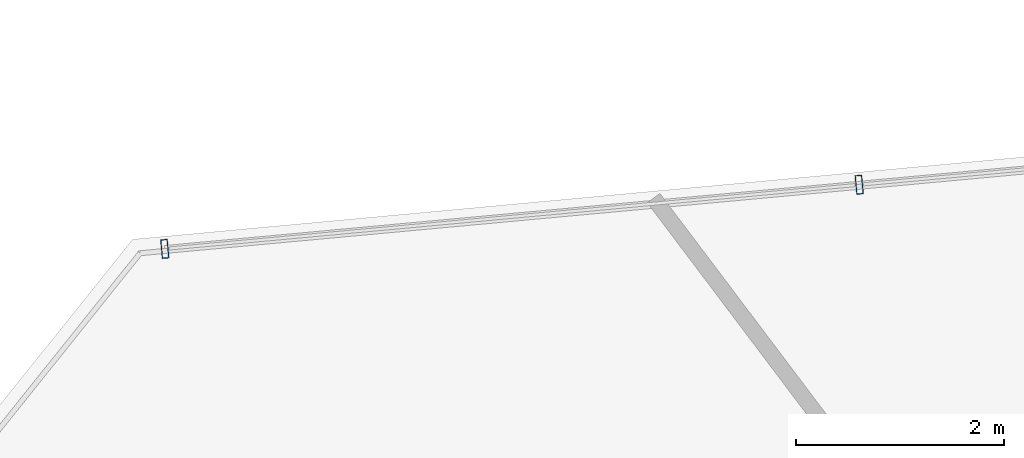
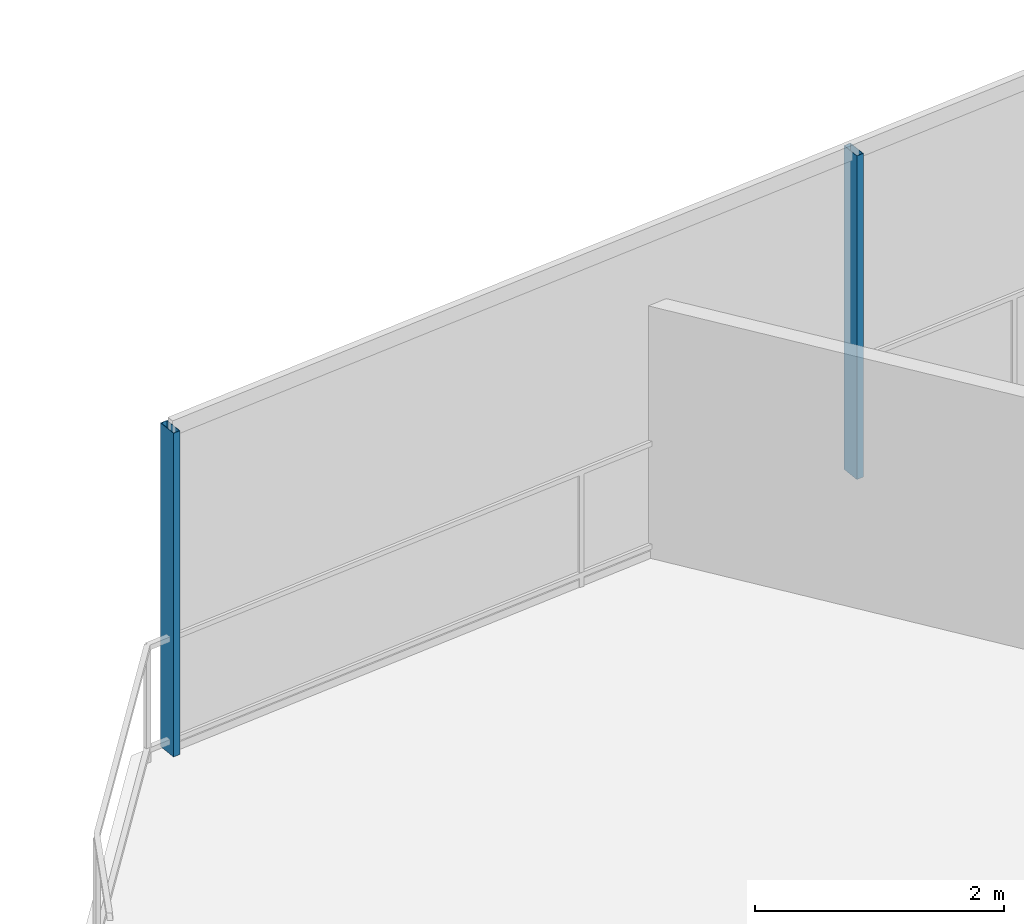
# One storey, part 16 of 30: 2 members, 1 element without a shape of its own.
"""IFC4 building model written with IfcOpenShell, lengths in metres."""

from ifc_helpers import new_model, si_unit, direction, frame, origin, origin_2d, place, context, subcontext, project, spatial, hollow_rectangle, extrude, material, layer, layer_set, material_profile, profile_set, type_object, element, aggregate, save


model = new_model("IFC4")

# Units and contexts
model_context = context("Model", 3, precision=1e-05, world=origin(), true_north=direction((0.0, 1.0)))
body_context = subcontext(model_context, "Body", "Model", "MODEL_VIEW")
ifc_project = project(units=[si_unit("LENGTHUNIT", "METRE"), si_unit("AREAUNIT", "SQUARE_METRE"), si_unit("VOLUMEUNIT", "CUBIC_METRE"), si_unit("PLANEANGLEUNIT", "RADIAN"), si_unit("MASSUNIT", "GRAM", prefix="KILO")], contexts=[model_context])

# Site, building, storey
site_placement = place(None, origin())
site = spatial("IfcSite", under=ifc_project, at=site_placement, CompositionType="ELEMENT")
building_placement = place(site_placement, origin())
building = spatial("IfcBuilding", under=site, at=building_placement, Name="Qarnah Convention Tower", CompositionType="ELEMENT")
storey_placement = place(building_placement, frame((0.0, 0.0, 86.699951171875)))
storey = spatial("IfcBuildingStorey", under=building, at=storey_placement, Name="L22", CompositionType="ELEMENT", Elevation=86.699951171875)

# Curtain wall, members
ifc_material_1 = material(Name="Tempered Low-E dark glass", Category="glass")
ifc_layer = layer(ifc_material_1, 0.169921875)
ifc_layer_set = layer_set([ifc_layer], Name="Tempered Low-E dark glass")
curtain_wall_type = type_object("IfcCurtainWallType", Name="CWS-02", PredefinedType="NOTDEFINED", material=ifc_layer_set)
curtain_wall_placement = place(storey_placement, origin())
curtain_wall = element("IfcCurtainWall", 1, at=curtain_wall_placement, inside=storey, type_object=curtain_wall_type, Name="L22 unitised curtain wall CW-L22-F1", PredefinedType="NOTDEFINED")
ifc_material_2 = material(Name="Black anodised aluminium", Category="aluminium")
ifc_material_profile = material_profile(ifc_material_2, hollow_rectangle(XDim=0.06494140625, YDim=0.179931640625, WallThickness=0.00390625, at=origin_2d()), Name="MUL-65X180")
ifc_profile_set = profile_set([ifc_material_profile], Name="Black anodised aluminium")
member_type = type_object("IfcMemberType", Name="MUL-T2", PredefinedType="MULLION", material=ifc_profile_set)
member_1_placement = place(storey_placement, frame((19.718017578125, 42.508056640625, 0.0), z_axis=(0.0, 0.0, 1.0), x_axis=(0.995756103548, 0.092031419885, 0.0)))
member_1 = element("IfcMember", 2, at=member_1_placement, type_object=member_type, Name="CW-L22-F1 mullion 1", PredefinedType="MULLION", context=body_context, shape_type="SweptSolid", body=[
    extrude(hollow_rectangle(XDim=0.06494140625, YDim=0.179931640625, WallThickness=0.00390625, at=origin_2d()), origin(), (0.0, 0.0, 1.0), 3.170166015625),
])
member_2_placement = place(storey_placement, frame((26.404541015625, 43.1259765625, 0.0), z_axis=(0.0, 0.0, 1.0), x_axis=(0.995756103548, 0.092031419885, 0.0)))
member_2 = element("IfcMember", 3, at=member_2_placement, type_object=member_type, Name="CW-L22-F1 mullion 2", PredefinedType="MULLION", context=body_context, shape_type="SweptSolid", body=[
    extrude(hollow_rectangle(XDim=0.06494140625, YDim=0.179931640625, WallThickness=0.00390625, at=origin_2d()), origin(), (0.0, 0.0, 1.0), 3.170166015625),
])
aggregate(curtain_wall, [member_1, member_2])

save(model, "model.ifc")
